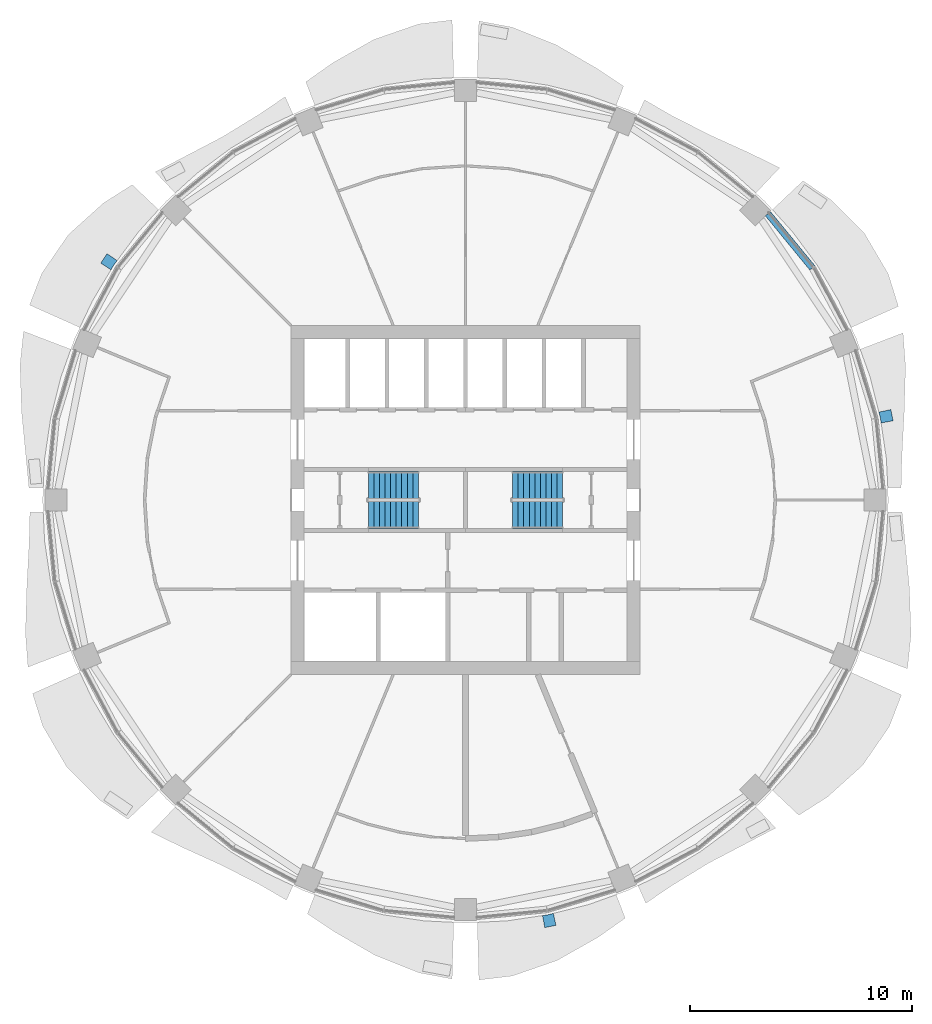
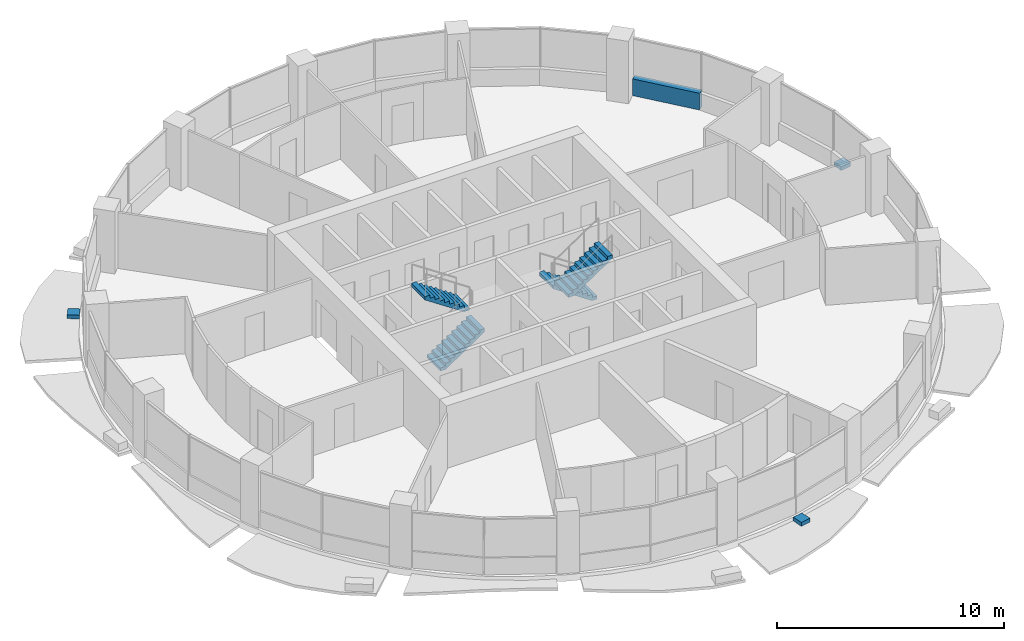
# One storey, part 11 of 15: 4 stair flights, 3 discrete accessories, 1 wall, 2 elements without a shape of their own.
"""IFC4 building model written with IfcOpenShell, lengths in metres."""

from ifc_helpers import new_model, si_unit, direction, frame, frame_2d, origin, place, context, subcontext, project, spatial, polyline, rectangle, outline, extrude, material, layer, layer_set, type_object, element, aggregate, save


model = new_model("IFC4")

# Units and contexts
model_context = context("Model", 3, precision=1e-05, world=origin(), true_north=direction((0.0, 1.0)))
body_context = subcontext(model_context, "Body", "Model", "MODEL_VIEW")
ifc_project = project(units=[si_unit("LENGTHUNIT", "METRE"), si_unit("AREAUNIT", "SQUARE_METRE"), si_unit("VOLUMEUNIT", "CUBIC_METRE"), si_unit("PLANEANGLEUNIT", "RADIAN"), si_unit("MASSUNIT", "GRAM", prefix="KILO")], contexts=[model_context])

# Site, building, storey
site_placement = place(None, origin())
site = spatial("IfcSite", under=ifc_project, at=site_placement, CompositionType="ELEMENT")
building_placement = place(site_placement, origin())
building = spatial("IfcBuilding", under=site, at=building_placement, Name="Polderwave Tower", CompositionType="ELEMENT")
storey_placement = place(building_placement, frame((0.0, 0.0, 127.64990234375)))
storey = spatial("IfcBuildingStorey", under=building, at=storey_placement, Name="L33", CompositionType="ELEMENT", Elevation=127.64990234375)

# Wall
ifc_material_1 = material(Name="Concrete C50/60 (board-marked)", Category="concrete")
ifc_layer = layer(ifc_material_1, 0.300048828125)
ifc_layer_set = layer_set([ifc_layer], Name="Concrete spandrel upstand C50/60")
wall_type = type_object("IfcWallType", Name="Concrete spandrel upstand C50/60", PredefinedType="SOLIDWALL", material=ifc_layer_set)
wall_placement = place(storey_placement, frame((15.630615234375, 10.461669921875, 0.0), z_axis=(0.0, 0.0, 1.0), x_axis=(-0.634239575548, 0.773136573193, 0.0)))
element("IfcWall", 1, at=wall_placement, inside=storey, type_object=wall_type, Name="Spandrel L33 2b", PredefinedType="SOLIDWALL", context=body_context, shape_type="SweptSolid", body=[
    extrude(rectangle(XDim=3.15673828125, YDim=0.300048828125, at=frame_2d((1.578369140625, 0.0))), origin(), (0.0, 0.0, 1.0), 0.900146484375),
])

# Stair, stair flights
ifc_material_2 = material(Name="Concrete C40/50", Category="concrete")
stair_type = type_object("IfcStairType", Name="Exit stair 1200 x 20 risers", PredefinedType="HALF_TURN_STAIR", material=ifc_material_2)
stair_1_placement = place(storey_placement, origin())
stair_1 = element("IfcStair", 2, at=stair_1_placement, inside=storey, type_object=stair_type, Name="L33 Exit stair A", PredefinedType="HALF_TURN_STAIR")
stair_flight_type = type_object("IfcStairFlightType", Name="Stair flight 1200", PredefinedType="STRAIGHT", material=ifc_material_2)
stair_flight_1_placement = place(storey_placement, frame((-4.3740234375, -0.675048828125, 0.0), z_axis=(0.0, 0.0, 1.0), x_axis=(1.0, 0.0, 0.0)))
stair_flight_1 = element("IfcStairFlight", 3, at=stair_flight_1_placement, type_object=stair_flight_type, Name="ST-A flight 1", NumberOfRisers=10, NumberOfTreads=9, PredefinedType="STRAIGHT", RiserHeight=0.1675, TreadLength=0.25, context=body_context, shape_type="SweptSolid", body=[
    extrude(outline(polyline([(0.0, 0.0), (0.0, 0.16748046875), (0.25, 0.16748046875), (0.25, 0.3349609375), (0.5, 0.3349609375), (0.5, 0.50244140625), (0.75, 0.50244140625), (0.75, 0.669921875), (1.0, 0.669921875), (1.0, 0.83740234375), (1.25, 0.83740234375), (1.25, 1.0048828125), (1.5, 1.0048828125), (1.5, 1.172607421875), (1.75, 1.172607421875), (1.75, 1.340087890625), (2.0, 1.340087890625), (2.0, 1.507568359375), (2.25, 1.507568359375), (2.25, 1.675048828125), (2.25, 1.3271484375), (0.269287109375, 0.0), (0.0, 0.0)])), frame((0.0, 0.60009765625, 0.0), z_axis=(0.0, -1.0, 0.0), x_axis=(1.0, 0.0, 0.0)), (0.0, 0.0, 1.0), 1.199951171875),
])
stair_flight_2_placement = place(storey_placement, frame((-2.1240234375, 0.675048828125, 1.675048828125), z_axis=(0.0, 0.0, 1.0), x_axis=(-1.0, 0.0, 0.0)))
stair_flight_2 = element("IfcStairFlight", 4, at=stair_flight_2_placement, type_object=stair_flight_type, Name="ST-A flight 2", NumberOfRisers=10, NumberOfTreads=9, PredefinedType="STRAIGHT", RiserHeight=0.1675, TreadLength=0.25, context=body_context, shape_type="SweptSolid", body=[
    extrude(outline(polyline([(0.0, 0.0), (0.0, 0.16748046875), (0.25, 0.16748046875), (0.25, 0.3349609375), (0.5, 0.3349609375), (0.5, 0.50244140625), (0.75, 0.50244140625), (0.75, 0.669921875), (1.0, 0.669921875), (1.0, 0.83740234375), (1.25, 0.83740234375), (1.25, 1.0048828125), (1.5, 1.0048828125), (1.5, 1.172607421875), (1.75, 1.172607421875), (1.75, 1.340087890625), (2.0, 1.340087890625), (2.0, 1.507568359375), (2.25, 1.507568359375), (2.25, 1.675048828125), (2.25, 1.3271484375), (0.269287109375, 0.0), (0.0, 0.0)])), frame((0.0, 0.60009765625, 0.0), z_axis=(0.0, -1.0, 0.0), x_axis=(1.0, 0.0, 0.0)), (0.0, 0.0, 1.0), 1.199951171875),
])
aggregate(stair_1, [stair_flight_1, stair_flight_2])

stair_2_placement = place(storey_placement, origin())
stair_2 = element("IfcStair", 5, at=stair_2_placement, inside=storey, type_object=stair_type, Name="L33 Exit stair B", PredefinedType="HALF_TURN_STAIR")
stair_flight_3_placement = place(storey_placement, frame((4.3740234375, 0.675048828125, 0.0), z_axis=(0.0, 0.0, 1.0), x_axis=(-1.0, 0.0, 0.0)))
stair_flight_3 = element("IfcStairFlight", 6, at=stair_flight_3_placement, type_object=stair_flight_type, Name="ST-B flight 1", NumberOfRisers=10, NumberOfTreads=9, PredefinedType="STRAIGHT", RiserHeight=0.1675, TreadLength=0.25, context=body_context, shape_type="SweptSolid", body=[
    extrude(outline(polyline([(0.0, 0.0), (0.0, 0.16748046875), (0.25, 0.16748046875), (0.25, 0.3349609375), (0.5, 0.3349609375), (0.5, 0.50244140625), (0.75, 0.50244140625), (0.75, 0.669921875), (1.0, 0.669921875), (1.0, 0.83740234375), (1.25, 0.83740234375), (1.25, 1.0048828125), (1.5, 1.0048828125), (1.5, 1.172607421875), (1.75, 1.172607421875), (1.75, 1.340087890625), (2.0, 1.340087890625), (2.0, 1.507568359375), (2.25, 1.507568359375), (2.25, 1.675048828125), (2.25, 1.3271484375), (0.269287109375, 0.0), (0.0, 0.0)])), frame((0.0, 0.60009765625, 0.0), z_axis=(0.0, -1.0, 0.0), x_axis=(1.0, 0.0, 0.0)), (0.0, 0.0, 1.0), 1.199951171875),
])
stair_flight_4_placement = place(storey_placement, frame((2.1240234375, -0.675048828125, 1.675048828125), z_axis=(0.0, 0.0, 1.0), x_axis=(1.0, 0.0, 0.0)))
stair_flight_4 = element("IfcStairFlight", 7, at=stair_flight_4_placement, type_object=stair_flight_type, Name="ST-B flight 2", NumberOfRisers=10, NumberOfTreads=9, PredefinedType="STRAIGHT", RiserHeight=0.1675, TreadLength=0.25, context=body_context, shape_type="SweptSolid", body=[
    extrude(outline(polyline([(0.0, 0.0), (0.0, 0.16748046875), (0.25, 0.16748046875), (0.25, 0.3349609375), (0.5, 0.3349609375), (0.5, 0.50244140625), (0.75, 0.50244140625), (0.75, 0.669921875), (1.0, 0.669921875), (1.0, 0.83740234375), (1.25, 0.83740234375), (1.25, 1.0048828125), (1.5, 1.0048828125), (1.5, 1.172607421875), (1.75, 1.172607421875), (1.75, 1.340087890625), (2.0, 1.340087890625), (2.0, 1.507568359375), (2.25, 1.507568359375), (2.25, 1.675048828125), (2.25, 1.3271484375), (0.269287109375, 0.0), (0.0, 0.0)])), frame((0.0, 0.60009765625, 0.0), z_axis=(0.0, -1.0, 0.0), x_axis=(1.0, 0.0, 0.0)), (0.0, 0.0, 1.0), 1.199951171875),
])
aggregate(stair_2, [stair_flight_3, stair_flight_4])

# Discrete accessories
ifc_material_3 = material(Name="Steel S355", Category="steel")
discrete_accessory_type = type_object("IfcDiscreteAccessoryType", Name="Band bracket pad", PredefinedType="BRACKET", material=ifc_material_3)
discrete_accessory_1_placement = place(storey_placement, frame((0.0, 0.0, -0.199951171875)))
element("IfcDiscreteAccessory", 8, at=discrete_accessory_1_placement, inside=storey, type_object=discrete_accessory_type, Name="Band bracket L33 1", PredefinedType="BRACKET", context=body_context, shape_type="SweptSolid", body=[
    extrude(outline(polyline([(18.73046875, 3.47119140625), (18.69384765625, 3.718505859375), (18.633056640625, 3.9609375), (19.1708984375, 4.0751953125), (19.271240234375, 3.5712890625), (18.73046875, 3.47119140625)])), origin(), (0.0, 0.0, 1.0), 0.199951171875),
])
discrete_accessory_2_placement = place(storey_placement, frame((0.0, 0.0, -0.199951171875)))
element("IfcDiscreteAccessory", 9, at=discrete_accessory_2_placement, inside=storey, type_object=discrete_accessory_type, Name="Band bracket L33 7", PredefinedType="BRACKET", context=body_context, shape_type="SweptSolid", body=[
    extrude(outline(polyline([(-15.698974609375, 10.7900390625), (-15.847900390625, 10.589111328125), (-15.976318359375, 10.374755859375), (-16.4375, 10.67431640625), (-16.152099609375, 11.1015625), (-15.698974609375, 10.7900390625)])), origin(), (0.0, 0.0, 1.0), 0.199951171875),
])
discrete_accessory_3_placement = place(storey_placement, frame((0.0, 0.0, -0.199951171875)))
element("IfcDiscreteAccessory", 10, at=discrete_accessory_3_placement, inside=storey, type_object=discrete_accessory_type, Name="Band bracket L33 13", PredefinedType="BRACKET", context=body_context, shape_type="SweptSolid", body=[
    extrude(outline(polyline([(3.47119140625, -18.73046875), (3.718505859375, -18.69384765625), (3.9609375, -18.633056640625), (4.0751953125, -19.1708984375), (3.5712890625, -19.271240234375), (3.47119140625, -18.73046875)])), origin(), (0.0, 0.0, 1.0), 0.199951171875),
])

save(model, "model.ifc")
